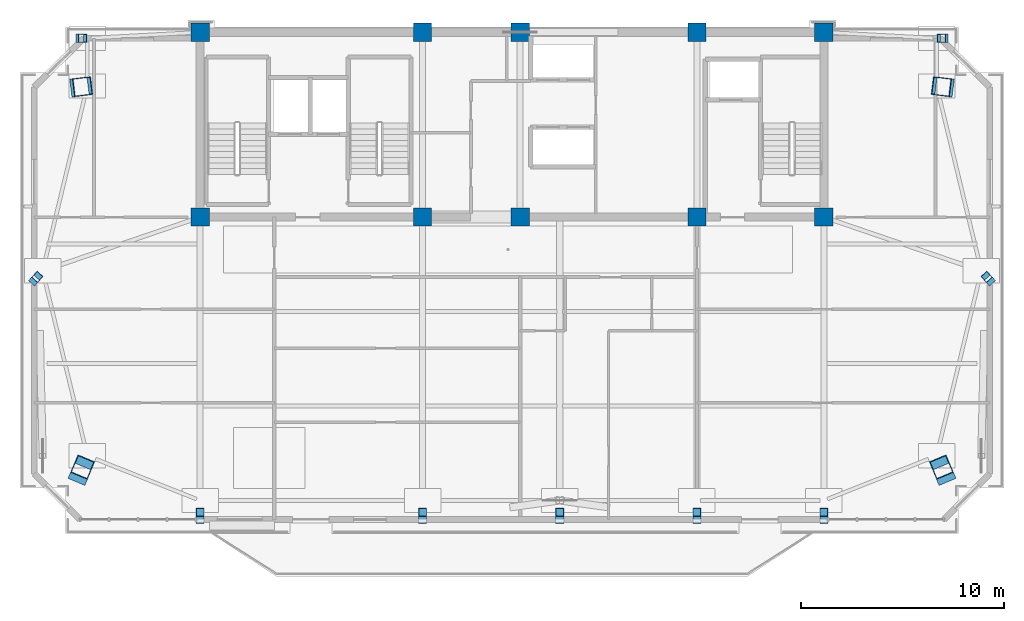
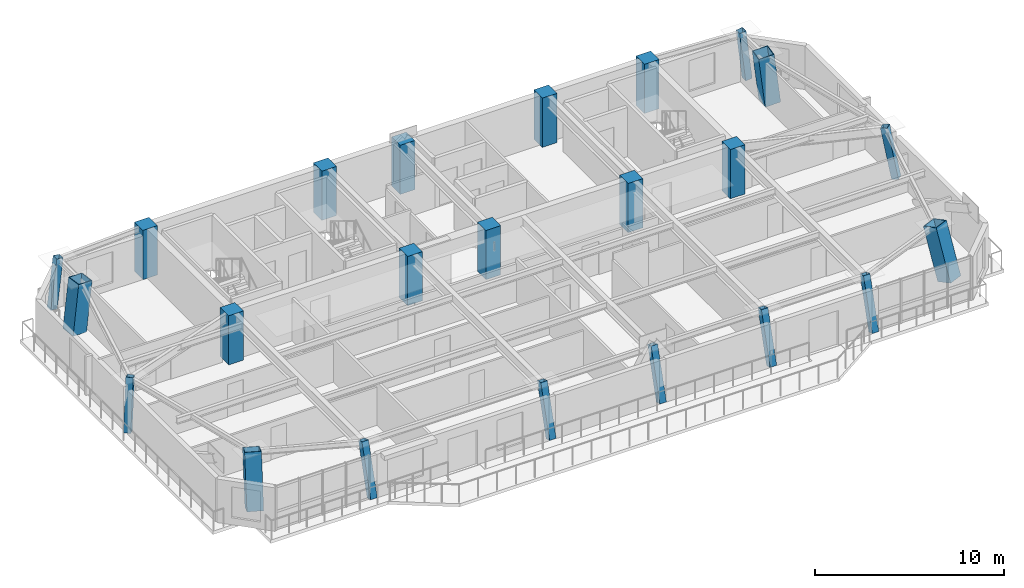
# One storey, part 1 of 12: 23 columns.
"""IFC4 building model written with IfcOpenShell, lengths in metres."""

from ifc_helpers import new_model, si_unit, direction, frame, origin, origin_2d, place, context, subcontext, project, spatial, rectangle, hollow_rectangle, extrude, source, transform, mapped, material, material_profile, profile_set, type_object, element, save


model = new_model("IFC4")

# Units and contexts
model_context = context("Model", 3, precision=1e-05, world=origin(), true_north=direction((0.0, 1.0)))
body_context = subcontext(model_context, "Body", "Model", "MODEL_VIEW")
ifc_project = project(units=[si_unit("LENGTHUNIT", "METRE"), si_unit("AREAUNIT", "SQUARE_METRE"), si_unit("VOLUMEUNIT", "CUBIC_METRE"), si_unit("PLANEANGLEUNIT", "RADIAN"), si_unit("MASSUNIT", "GRAM", prefix="KILO")], contexts=[model_context])

# Site, building, storey
site_placement = place(None, origin())
site = spatial("IfcSite", under=ifc_project, at=site_placement, CompositionType="ELEMENT")
building_placement = place(site_placement, origin())
building = spatial("IfcBuilding", under=site, at=building_placement, Name="Giltprow Tower", CompositionType="ELEMENT")
storey_placement = place(building_placement, frame((0.0, 0.0, 342.5)))
storey = spatial("IfcBuildingStorey", under=building, at=storey_placement, Name="L89", CompositionType="ELEMENT", Elevation=342.5)

# Columns
ifc_material_1 = material(Name="Concrete C45", Category="concrete")
ifc_material_profile_1 = material_profile(ifc_material_1, rectangle(XDim=0.89990234375, YDim=0.89990234375, at=origin_2d()), Name="RC 900x900")
ifc_profile_set_1 = profile_set([ifc_material_profile_1], Name="Concrete C45")
column_type_1 = type_object("IfcColumnType", Name="PIL-RC-900-C45", PredefinedType="PILASTER", material=ifc_profile_set_1)
shared_shape_1 = source(origin(), body_context, "Body", "SweptSolid", [
    extrude(rectangle(XDim=0.89990234375, YDim=0.89990234375, at=origin_2d()), origin(), (0.0, 0.0, 1.0), 3.18505859375),
])
for number, where, z_axis, x_axis, name in (
    (1, (19.85009765625, 37.449951171875, 0.0), (0.0, 0.0, 1.0), (1.0, 0.0, 0.0), "L89 Core Boundary Pilaster 1-1"),
    (2, (19.85009765625, 46.550048828125, 0.0), (0.0, 0.0, 1.0), (1.0, 0.0, 0.0), "L89 Core Boundary Pilaster 1-2"),
    (3, (30.800048828125, 37.449951171875, 0.0), (0.0, 0.0, 1.0), (1.0, 0.0, 0.0), "L89 Core Boundary Pilaster 2-1"),
    (4, (30.800048828125, 46.550048828125, 0.0), (0.0, 0.0, 1.0), (1.0, 0.0, 0.0), "L89 Core Boundary Pilaster 2-2"),
    (5, (35.60009765625, 37.449951171875, 0.0), (0.0, 0.0, 1.0), (1.0, 0.0, 0.0), "L89 Core Boundary Pilaster 3-1"),
    (6, (35.60009765625, 46.550048828125, 0.0), (0.0, 0.0, 1.0), (1.0, 0.0, 0.0), "L89 Core Boundary Pilaster 3-2"),
    (7, (44.300048828125, 37.449951171875, 0.0), (0.0, 0.0, 1.0), (1.0, 0.0, 0.0), "L89 Core Boundary Pilaster 4-1"),
    (8, (44.300048828125, 46.550048828125, 0.0), (0.0, 0.0, 1.0), (1.0, 0.0, 0.0), "L89 Core Boundary Pilaster 4-2"),
    (9, (50.550048828125, 37.449951171875, 0.0), (0.0, 0.0, 1.0), (1.0, 0.0, 0.0), "L89 Core Boundary Pilaster 5-1"),
    (10, (50.550048828125, 46.550048828125, 0.0), (0.0, 0.0, 1.0), (1.0, 0.0, 0.0), "L89 Core Boundary Pilaster 5-2"),
):
    element("IfcColumn", number, at=place(storey_placement, frame(where, z_axis=z_axis, x_axis=x_axis)), inside=storey, type_object=column_type_1, Name=name, PredefinedType="PILASTER", context=body_context, shape_type="MappedRepresentation", body=[
        mapped(shared_shape_1, transform((0.0, 0.0, 0.0), x_axis=(1.0, 0.0, 0.0), y_axis=(0.0, 1.0, 0.0), z_axis=(0.0, 0.0, 1.0), scale=1.0)),
    ])
ifc_material_2 = material(Name="Structural steel Q420GJC", Category="steel")
ifc_material_profile_2 = material_profile(ifc_material_2, hollow_rectangle(XDim=0.89990234375, YDim=0.89990234375, WallThickness=0.0400390625, at=origin_2d()), Name="BOX 900x900x40")
ifc_profile_set_2 = profile_set([ifc_material_profile_2], Name="Structural steel Q420GJC")
column_type_2 = type_object("IfcColumnType", Name="COL-BOX-900x900x40", PredefinedType="COLUMN", material=ifc_profile_set_2)
shared_shape_2 = source(origin(), body_context, "Body", "SweptSolid", [
    extrude(hollow_rectangle(XDim=0.89990234375, YDim=0.89990234375, WallThickness=0.0400390625, at=origin_2d()), origin(), (0.0, 0.0, 1.0), 3.206787109375),
])
for number, where, z_axis, x_axis, name in (
    (11, (13.930908203125, 43.85400390625, 0.0), (0.115115171504, 0.014313262065, 0.993249026085), (-0.123388483821, 0.992358444344, 0.0), "L89 Mega-Column MC_NW"),
    (12, (56.468994140625, 43.85400390625, 0.0), (-0.115040045039, 0.01431338747, 0.993257728375), (-0.1234688995, -0.99234844226, 0.0), "L89 Mega-Column MC_NE"),
):
    element("IfcColumn", number, at=place(storey_placement, frame(where, z_axis=z_axis, x_axis=x_axis)), inside=storey, type_object=column_type_2, Name=name, PredefinedType="COLUMN", context=body_context, shape_type="MappedRepresentation", body=[
        mapped(shared_shape_2, transform((0.0, 0.0, 0.0), x_axis=(1.0, 0.0, 0.0), y_axis=(0.0, 1.0, 0.0), z_axis=(0.0, 0.0, 1.0), scale=1.0)),
    ])
ifc_material_3 = material(Name="Structural steel Q355B", Category="steel")
ifc_material_profile_3 = material_profile(ifc_material_3, hollow_rectangle(XDim=0.39990234375, YDim=0.39990234375, WallThickness=0.02001953125, at=origin_2d()), Name="BOX 400x400x20")
ifc_profile_set_3 = profile_set([ifc_material_profile_3], Name="Structural steel Q355B")
column_type_3 = type_object("IfcColumnType", Name="COL-BOX-400x400x20", PredefinedType="COLUMN", material=ifc_profile_set_3)
shared_shape_3 = source(origin(), body_context, "Body", "SweptSolid", [
    extrude(hollow_rectangle(XDim=0.39990234375, YDim=0.39990234375, WallThickness=0.02001953125, at=origin_2d()), origin(), (0.0, 0.0, 1.0), 3.318603515625),
])
for number, where, z_axis, x_axis, name in (
    (13, (19.85009765625, 22.568115234375, 0.0), (0.0, 0.280807850571, 0.959764008003), (-1.0, 0.0, 0.0), "L89 Perimeter Column S1"),
    (14, (30.800048828125, 22.568115234375, 0.0), (0.0, 0.280807850571, 0.959764008003), (-1.0, 0.0, 0.0), "L89 Perimeter Column S2"),
    (15, (37.550048828125, 22.568115234375, 0.0), (0.0, 0.280807850571, 0.959764008003), (-1.0, 0.0, 0.0), "L89 Perimeter Column S_MID"),
    (16, (44.300048828125, 22.568115234375, 0.0), (0.0, 0.280807850571, 0.959764008003), (-1.0, 0.0, 0.0), "L89 Perimeter Column S3"),
    (17, (50.550048828125, 22.568115234375, 0.0), (0.0, 0.280807850571, 0.959764008003), (-1.0, 0.0, 0.0), "L89 Perimeter Column S4"),
):
    element("IfcColumn", number, at=place(storey_placement, frame(where, z_axis=z_axis, x_axis=x_axis)), inside=storey, type_object=column_type_3, Name=name, PredefinedType="COLUMN", context=body_context, shape_type="MappedRepresentation", body=[
        mapped(shared_shape_3, transform((0.0, 0.0, 0.0), x_axis=(1.0, 0.0, 0.0), y_axis=(0.0, 1.0, 0.0), z_axis=(0.0, 0.0, 1.0), scale=1.0)),
    ])
shared_shape_4 = source(origin(), body_context, "Body", "SweptSolid", [
    extrude(hollow_rectangle(XDim=0.39990234375, YDim=0.39990234375, WallThickness=0.02001953125, at=origin_2d()), origin(), (0.0, 0.0, 1.0), 3.24560546875),
])
for number, where, z_axis, x_axis, name in (
    (18, (11.68505859375, 34.333984375, 0.0), (0.127876528395, 0.143597819239, 0.981339523201), (-0.746804669772, 0.665043446104, 0.0), "L89 Perimeter Column W_MID"),
    (19, (58.715087890625, 34.333984375, 0.0), (-0.127876528395, 0.143597819239, 0.981339523201), (-0.746804669772, -0.665043446104, 0.0), "L89 Perimeter Column E_MID"),
):
    element("IfcColumn", number, at=place(storey_placement, frame(where, z_axis=z_axis, x_axis=x_axis)), inside=storey, type_object=column_type_3, Name=name, PredefinedType="COLUMN", context=body_context, shape_type="MappedRepresentation", body=[
        mapped(shared_shape_4, transform((0.0, 0.0, 0.0), x_axis=(1.0, 0.0, 0.0), y_axis=(0.0, 1.0, 0.0), z_axis=(0.0, 0.0, 1.0), scale=1.0)),
    ])
shared_shape_5 = source(origin(), body_context, "Body", "SweptSolid", [
    extrude(hollow_rectangle(XDim=0.39990234375, YDim=0.39990234375, WallThickness=0.02001953125, at=origin_2d()), origin(), (0.0, 0.0, 1.0), 3.206298828125),
])
for number, where, z_axis, x_axis, name in (
    (20, (13.930908203125, 46.25, 0.0), (0.115126965108, 0.0, 0.993350784922), (0.0, 1.0, 0.0), "L89 Perimeter Column N_W"),
    (21, (56.468994140625, 46.25, 0.0), (-0.115051831153, 0.0, 0.993359489887), (0.0, -1.0, 0.0), "L89 Perimeter Column N_E"),
):
    element("IfcColumn", number, at=place(storey_placement, frame(where, z_axis=z_axis, x_axis=x_axis)), inside=storey, type_object=column_type_3, Name=name, PredefinedType="COLUMN", context=body_context, shape_type="MappedRepresentation", body=[
        mapped(shared_shape_5, transform((0.0, 0.0, 0.0), x_axis=(1.0, 0.0, 0.0), y_axis=(0.0, 1.0, 0.0), z_axis=(0.0, 0.0, 1.0), scale=1.0)),
    ])
shared_shape_6 = source(origin(), body_context, "Body", "SweptSolid", [
    extrude(hollow_rectangle(XDim=0.89990234375, YDim=0.89990234375, WallThickness=0.0400390625, at=origin_2d()), origin(), (0.0, 0.0, 1.0), 3.326416015625),
])
for number, where, z_axis, x_axis, name in (
    (22, (13.930908203125, 24.81396484375, 0.0), (0.110968509205, 0.266339100467, 0.957470351252), (-0.923084448442, 0.384597323242, 0.0), "L89 Mega-Column MC_SW"),
    (23, (56.468994140625, 24.81396484375, 0.0), (-0.110896020197, 0.266341268892, 0.957478146586), (-0.92317473482, -0.384380552305, 0.0), "L89 Mega-Column MC_SE"),
):
    element("IfcColumn", number, at=place(storey_placement, frame(where, z_axis=z_axis, x_axis=x_axis)), inside=storey, type_object=column_type_2, Name=name, PredefinedType="COLUMN", context=body_context, shape_type="MappedRepresentation", body=[
        mapped(shared_shape_6, transform((0.0, 0.0, 0.0), x_axis=(1.0, 0.0, 0.0), y_axis=(0.0, 1.0, 0.0), z_axis=(0.0, 0.0, 1.0), scale=1.0)),
    ])

save(model, "model.ifc")
